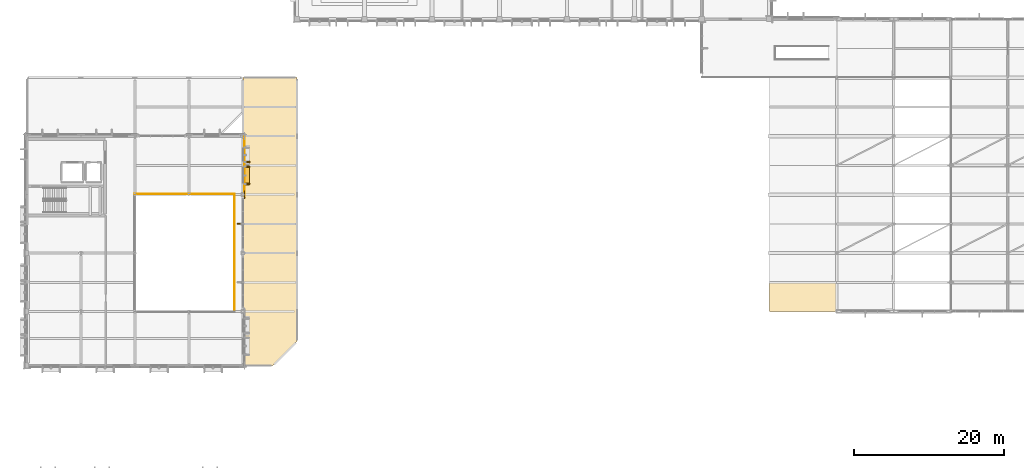
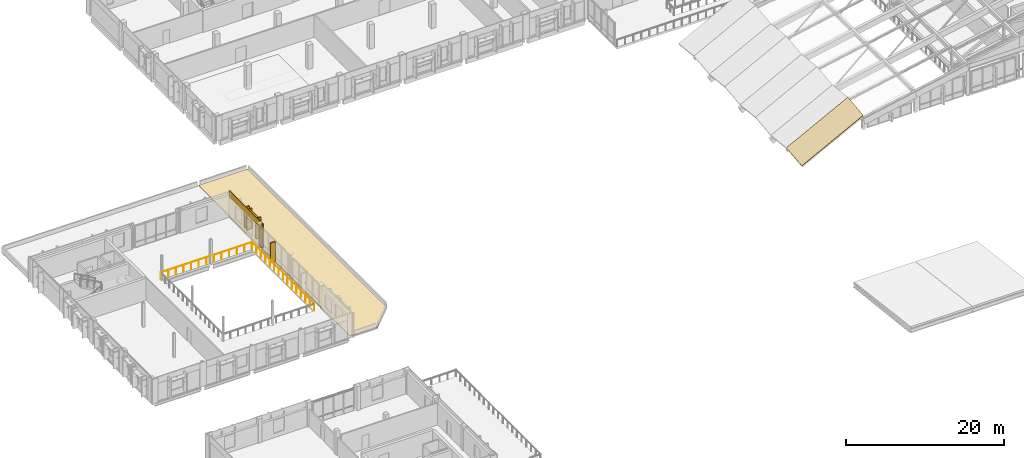
# One storey, part 65 of 73: 5 shading devices, 4 coverings, 2 railings.
"""IFC4 building model written with IfcOpenShell, lengths in metres."""

from ifc_helpers import new_model, si_unit, direction, frame, origin, origin_2d, place, context, subcontext, project, spatial, polyline, rectangle, circle, outline, extrude, material, layer, layer_set, type_object, element, save


model = new_model("IFC4")

# Units and contexts
model_context = context("Model", 3, precision=1e-05, world=origin(), true_north=direction((0.0, 1.0)))
body_context = subcontext(model_context, "Body", "Model", "MODEL_VIEW")
ifc_project = project(units=[si_unit("LENGTHUNIT", "METRE"), si_unit("AREAUNIT", "SQUARE_METRE"), si_unit("VOLUMEUNIT", "CUBIC_METRE"), si_unit("PLANEANGLEUNIT", "RADIAN"), si_unit("MASSUNIT", "GRAM", prefix="KILO")], contexts=[model_context])

# Site, building, storey
site_placement = place(None, origin())
site = spatial("IfcSite", under=ifc_project, at=site_placement, CompositionType="ELEMENT")
building_placement = place(site_placement, origin())
building = spatial("IfcBuilding", under=site, at=building_placement, Name="Vervanel Yard Central Library", CompositionType="ELEMENT")
storey_placement = place(building_placement, frame((0.0, 0.0, 12.780029296875)))
storey = spatial("IfcBuildingStorey", under=building, at=storey_placement, Name="L03", CompositionType="ELEMENT", Elevation=12.780029296875)

# Coverings
ifc_material_1 = material(Name="Precast concrete C45/55", Category="concrete")
ifc_layer_1 = layer(ifc_material_1, 0.0849609375, Category="concrete")
ifc_layer_set_1 = layer_set([ifc_layer_1], Name="Precast concrete C45/55")
covering_type_1 = type_object("IfcCoveringType", Name="Bush-Hammered Precast Architectural Cladding Panel", PredefinedType="CLADDING", material=ifc_layer_set_1)
covering_1_placement = place(storey_placement, frame((28.989990234375, 62.699951171875, 2.800048828125), z_axis=(0.0, 0.0, 1.0), x_axis=(0.0, 1.0, 0.0)))
element("IfcCovering", 1, at=covering_1_placement, inside=storey, type_object=covering_type_1, Name="L03 Precast Concrete Spandrel Cornice EWALL-L03-0134", PredefinedType="CLADDING", context=body_context, shape_type="SweptSolid", body=[
    extrude(rectangle(XDim=8.25, YDim=0.0849609375, at=origin_2d()), origin(), (0.0, 0.0, 1.0), 0.9599609375),
])
covering_2_placement = place(storey_placement, frame((29.00439453125, 58.800048828125, 0.0), z_axis=(0.0, 0.0, 1.0), x_axis=(0.0, 1.0, 0.0)))
element("IfcCovering", 2, at=covering_2_placement, inside=storey, type_object=covering_type_1, Name="L03 Precast Concrete Pier Pilaster EWALL-L03-0134-A", PredefinedType="CLADDING", context=body_context, shape_type="SweptSolid", body=[
    extrude(rectangle(XDim=0.97998046875, YDim=0.0849609375, at=origin_2d()), origin(), (0.0, 0.0, 1.0), 3.760009765625),
])

# Railings
ifc_material_2 = material(Name="Brushed stainless steel AISI 316", Category="steel")
railing_type = type_object("IfcRailingType", Name="Glazed Atrium & Gallery Balustrade 1120", PredefinedType="BALUSTRADE", material=ifc_material_2)
railing_1_placement = place(storey_placement, frame((27.679931640625, 43.1201171875, 0.0)))
element("IfcRailing", 3, at=railing_1_placement, inside=storey, type_object=railing_type, Name="L03 Void Guard ATRIUM-GD-L03 E", PredefinedType="BALUSTRADE", context=body_context, shape_type="SweptSolid", body=[
    extrude(circle(Radius=0.02392578125, at=origin_2d()), frame((0.0, 0.0, 1.09619140625), z_axis=(0.0, 1.0, 0.0), x_axis=(-1.0, 0.0, 0.0)), (0.0, 0.0, 1.0), 15.759765625),
    extrude(circle(Radius=0.02099609375, at=origin_2d()), origin(), (0.0, 0.0, 1.0), 1.072021484375),
    extrude(circle(Radius=0.02099609375, at=origin_2d()), frame((0.0, 1.125732421875, 0.0)), (0.0, 0.0, 1.0), 1.072021484375),
    extrude(circle(Radius=0.02099609375, at=origin_2d()), frame((0.0, 2.25146484375, 0.0)), (0.0, 0.0, 1.0), 1.072021484375),
    extrude(circle(Radius=0.02099609375, at=origin_2d()), frame((0.0, 3.377197265625, 0.0)), (0.0, 0.0, 1.0), 1.072021484375),
    extrude(circle(Radius=0.02099609375, at=origin_2d()), frame((0.0, 4.502685546875, 0.0)), (0.0, 0.0, 1.0), 1.072021484375),
    extrude(circle(Radius=0.02099609375, at=origin_2d()), frame((0.0, 5.62841796875, 0.0)), (0.0, 0.0, 1.0), 1.072021484375),
    extrude(circle(Radius=0.02099609375, at=origin_2d()), frame((0.0, 6.754150390625, 0.0)), (0.0, 0.0, 1.0), 1.072021484375),
    extrude(circle(Radius=0.02099609375, at=origin_2d()), frame((0.0, 7.8798828125, 0.0)), (0.0, 0.0, 1.0), 1.072021484375),
    extrude(circle(Radius=0.02099609375, at=origin_2d()), frame((0.0, 9.005615234375, 0.0)), (0.0, 0.0, 1.0), 1.072021484375),
    extrude(circle(Radius=0.02099609375, at=origin_2d()), frame((0.0, 10.13134765625, 0.0)), (0.0, 0.0, 1.0), 1.072021484375),
    extrude(circle(Radius=0.02099609375, at=origin_2d()), frame((0.0, 11.257080078125, 0.0)), (0.0, 0.0, 1.0), 1.072021484375),
    extrude(circle(Radius=0.02099609375, at=origin_2d()), frame((0.0, 12.382568359375, 0.0)), (0.0, 0.0, 1.0), 1.072021484375),
    extrude(circle(Radius=0.02099609375, at=origin_2d()), frame((0.0, 13.50830078125, 0.0)), (0.0, 0.0, 1.0), 1.072021484375),
    extrude(circle(Radius=0.02099609375, at=origin_2d()), frame((0.0, 14.634033203125, 0.0)), (0.0, 0.0, 1.0), 1.072021484375),
    extrude(circle(Radius=0.02099609375, at=origin_2d()), frame((0.0, 15.759765625, 0.0)), (0.0, 0.0, 1.0), 1.072021484375),
])
railing_2_placement = place(storey_placement, frame((27.679931640625, 58.8798828125, 0.0)))
element("IfcRailing", 4, at=railing_2_placement, inside=storey, type_object=railing_type, Name="L03 Void Guard ATRIUM-GD-L03 N", PredefinedType="BALUSTRADE", context=body_context, shape_type="SweptSolid", body=[
    extrude(circle(Radius=0.02392578125, at=origin_2d()), frame((0.0, 0.0, 1.09619140625), z_axis=(-1.0, 0.0, 0.0), x_axis=(0.0, -1.0, 0.0)), (0.0, 0.0, 1.0), 13.35986328125),
    extrude(circle(Radius=0.02099609375, at=origin_2d()), origin(), (0.0, 0.0, 1.0), 1.072021484375),
    extrude(circle(Radius=0.02099609375, at=origin_2d()), frame((-1.11328125, 0.0, 0.0)), (0.0, 0.0, 1.0), 1.072021484375),
    extrude(circle(Radius=0.02099609375, at=origin_2d()), frame((-2.2265625, 0.0, 0.0)), (0.0, 0.0, 1.0), 1.072021484375),
    extrude(circle(Radius=0.02099609375, at=origin_2d()), frame((-3.33984375, 0.0, 0.0)), (0.0, 0.0, 1.0), 1.072021484375),
    extrude(circle(Radius=0.02099609375, at=origin_2d()), frame((-4.453369140625, 0.0, 0.0)), (0.0, 0.0, 1.0), 1.072021484375),
    extrude(circle(Radius=0.02099609375, at=origin_2d()), frame((-5.566650390625, 0.0, 0.0)), (0.0, 0.0, 1.0), 1.072021484375),
    extrude(circle(Radius=0.02099609375, at=origin_2d()), frame((-6.679931640625, 0.0, 0.0)), (0.0, 0.0, 1.0), 1.072021484375),
    extrude(circle(Radius=0.02099609375, at=origin_2d()), frame((-7.793212890625, 0.0, 0.0)), (0.0, 0.0, 1.0), 1.072021484375),
    extrude(circle(Radius=0.02099609375, at=origin_2d()), frame((-8.906494140625, 0.0, 0.0)), (0.0, 0.0, 1.0), 1.072021484375),
    extrude(circle(Radius=0.02099609375, at=origin_2d()), frame((-10.02001953125, 0.0, 0.0)), (0.0, 0.0, 1.0), 1.072021484375),
    extrude(circle(Radius=0.02099609375, at=origin_2d()), frame((-11.13330078125, 0.0, 0.0)), (0.0, 0.0, 1.0), 1.072021484375),
    extrude(circle(Radius=0.02099609375, at=origin_2d()), frame((-12.24658203125, 0.0, 0.0)), (0.0, 0.0, 1.0), 1.072021484375),
    extrude(circle(Radius=0.02099609375, at=origin_2d()), frame((-13.35986328125, 0.0, 0.0)), (0.0, 0.0, 1.0), 1.072021484375),
])

# Shading device
shading_device_type_1 = type_object("IfcShadingDeviceType", Name="Horizontal Precast Brise-Soleil Sunhood 2600x680x140", PredefinedType="JALOUSIE", material=ifc_material_1)
shading_device_placement = place(storey_placement, frame((29.320068359375, 61.375, 2.97998046875), z_axis=(0.0, 0.0, 1.0), x_axis=(0.0, 1.0, 0.0)))
element("IfcShadingDevice", 5, at=shading_device_placement, inside=storey, type_object=shading_device_type_1, Name="L03 Precast Horizontal Sunhood 81", PredefinedType="JALOUSIE", context=body_context, shape_type="SweptSolid", body=[
    extrude(rectangle(XDim=2.60009765625, YDim=0.679931640625, at=origin_2d()), origin(), (0.0, 0.0, 1.0), 0.139892578125),
])

# Coverings
ifc_material_3 = material(Name="Standing-seam dark zinc-coated metal roofing", Category="metal")
ifc_layer_2 = layer(ifc_material_3, 0.06494140625, Category="metal")
ifc_layer_set_2 = layer_set([ifc_layer_2], Name="Standing-seam dark zinc-coated metal roofing")
covering_type_2 = type_object("IfcCoveringType", Name="Standing-Seam Dark Zinc Roof Assembly", PredefinedType="ROOFING", material=ifc_layer_set_2)
covering_3_placement = place(storey_placement, origin())
element("IfcCovering", 6, at=covering_3_placement, inside=storey, type_object=covering_type_2, Name="L03 Roof Covering ROOF-L03-V2NE", PredefinedType="ROOFING", context=body_context, shape_type="SweptSolid", body=[
    extrude(outline(polyline([(28.800048828125, 36.0), (32.800048828125, 36.0), (36.0, 39.199951171875), (36.0, 74.39990234375), (28.800048828125, 74.39990234375), (28.800048828125, 36.0)])), origin(), (0.0, 0.0, 1.0), 0.06494140625),
])
covering_4_placement = place(storey_placement, frame((99.0, 43.199951171875, -2.5869140625), z_axis=(-0.458693072844, -0.099029782554, 0.883059322522), x_axis=(0.887421517783, -1.052581e-06, 0.460958837397)))
element("IfcCovering", 7, at=covering_4_placement, inside=storey, type_object=covering_type_2, Name="Standing-Seam Zinc Roofing V3-FLK-B2-S01", PredefinedType="ROOFING", context=body_context, shape_type="SweptSolid", body=[
    extrude(outline(polyline([(0.0, 0.0), (10.141686193856135, 5.551115123125783e-17), (10.343351579996764, 3.9194234155033043), (0.20155284736196744, 3.9194019600241172), (0.0, 0.0)])), origin(), (0.0, 0.0, -1.0), 0.06494140625),
])

# Shading devices
shading_device_type_2 = type_object("IfcShadingDeviceType", Name="Vertical Precast Solar Fin 160x720x3200", PredefinedType="JALOUSIE", material=ifc_material_1)
for number, where, z_axis, x_axis, name in (
    (8, (28.389892578125, 54.89990234375, 0.14990234375), (0.0, 0.0, 1.0), (0.0, 1.0, 0.0), "L03 Precast Solar Fin 376"),
    (9, (29.35009765625, 60.239990234375, 0.349853515625), (0.0, 0.0, 1.0), (0.0, 1.0, 0.0), "L03 Precast Solar Fin 377"),
    (10, (29.35009765625, 62.510009765625, 0.349853515625), (0.0, 0.0, 1.0), (0.0, 1.0, 0.0), "L03 Precast Solar Fin 378"),
    (11, (29.35009765625, 63.139892578125, 0.324951171875), (0.0, 0.0, 1.0), (0.0, 1.0, 0.0), "L03 Precast Solar Fin 379"),
):
    element("IfcShadingDevice", number, at=place(storey_placement, frame(where, z_axis=z_axis, x_axis=x_axis)), inside=storey, type_object=shading_device_type_2, Name=name, PredefinedType="JALOUSIE", context=body_context, shape_type="SweptSolid", body=[
        extrude(rectangle(XDim=0.159912109375, YDim=0.719970703125, at=origin_2d()), origin(), (0.0, 0.0, 1.0), 3.10009765625),
    ])

save(model, "model.ifc")
